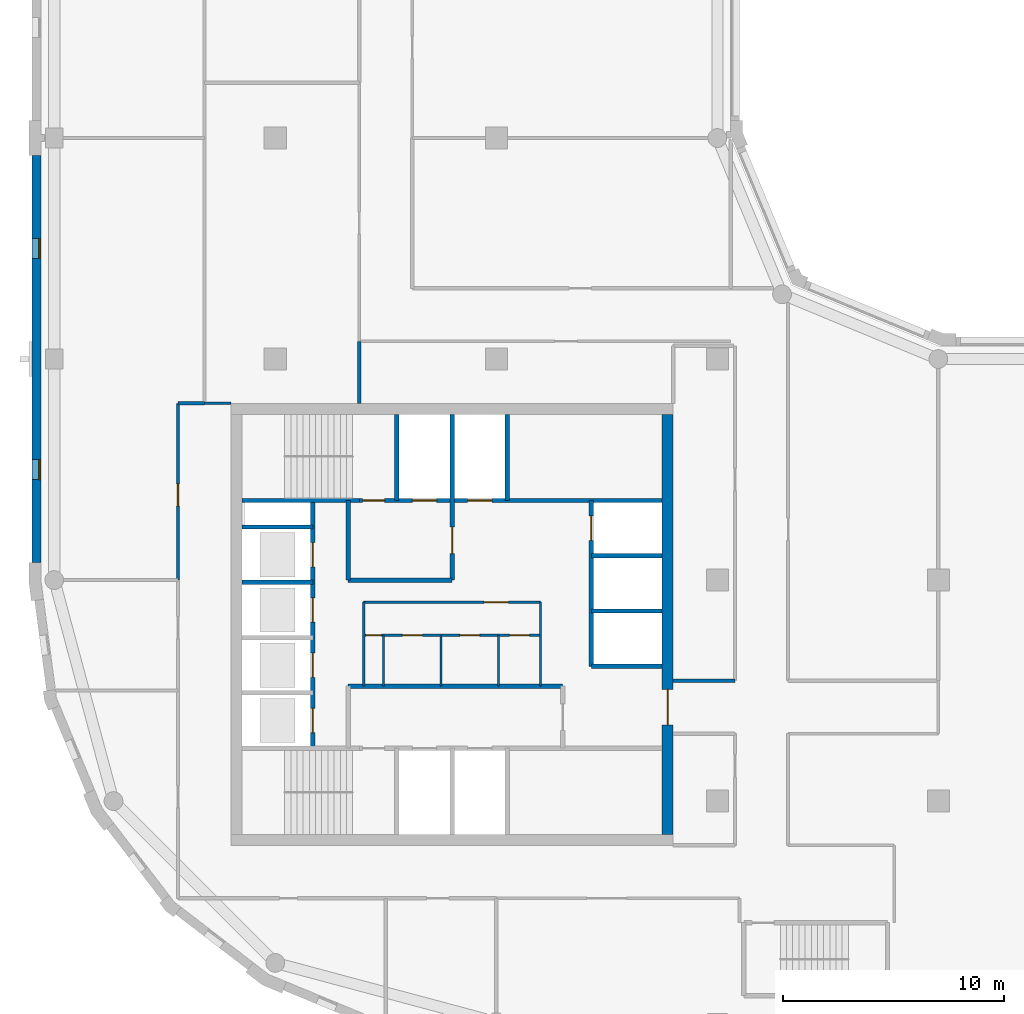
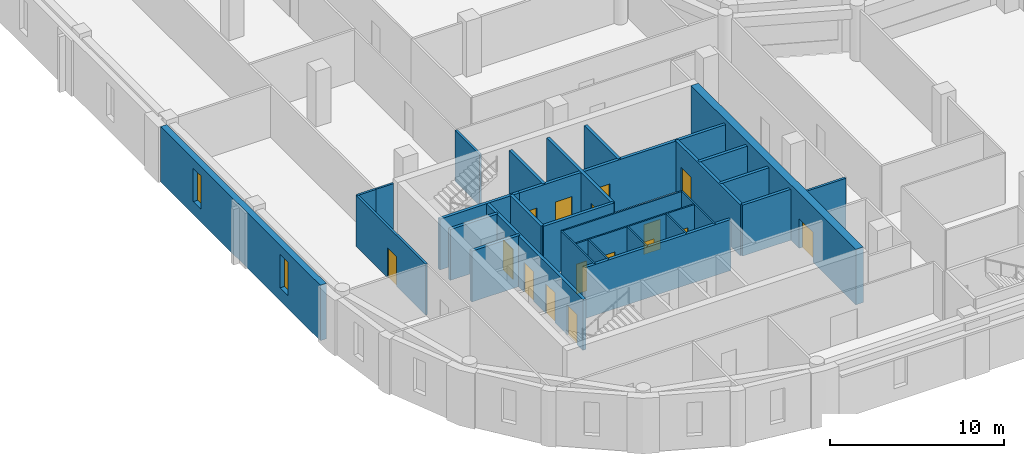
# One storey, part 3 of 9: 29 walls, 16 doors, 2 windows, 18 openings.
"""IFC4 building model written with IfcOpenShell, lengths in metres."""

from ifc_helpers import new_model, si_unit, direction, frame, frame_2d, origin, place, context, subcontext, project, spatial, rectangle, extrude, material, layer, layer_set, type_object, element, fill, save


model = new_model("IFC4")

# Units and contexts
model_context = context("Model", 3, precision=1e-05, world=origin(), true_north=direction((0.0, 1.0)))
body_context = subcontext(model_context, "Body", "Model", "MODEL_VIEW")
ifc_project = project(units=[si_unit("LENGTHUNIT", "METRE"), si_unit("AREAUNIT", "SQUARE_METRE"), si_unit("VOLUMEUNIT", "CUBIC_METRE"), si_unit("PLANEANGLEUNIT", "RADIAN"), si_unit("MASSUNIT", "GRAM", prefix="KILO")], contexts=[model_context])

# Site, building, storey
site_placement = place(None, origin())
site = spatial("IfcSite", under=ifc_project, at=site_placement, CompositionType="ELEMENT")
building_placement = place(site_placement, origin())
building = spatial("IfcBuilding", under=site, at=building_placement, Name="Qaws Garden Tower", CompositionType="ELEMENT")
storey_placement = place(building_placement, frame((0.0, 0.0, 267.0)))
storey = spatial("IfcBuildingStorey", under=building, at=storey_placement, Name="L64", CompositionType="ELEMENT", Elevation=267.0)

# Wall, openings, windows
ifc_material_1 = material(Name="Clay facing brick masonry", Category="masonry")
ifc_layer_1 = layer(ifc_material_1, 0.39990234375)
ifc_layer_set_1 = layer_set([ifc_layer_1], Name="Clay facing brick masonry")
wall_type_1 = type_object("IfcWallType", Name="Brick infill wall 400", PredefinedType="SOLIDWALL", material=ifc_layer_set_1)
wall_1_placement = place(storey_placement, frame((-0.800048828125, 39.199951171875, 0.0), z_axis=(0.0, 0.0, 1.0), x_axis=(0.0, -1.0, 0.0)))
wall_1 = element("IfcWall", 1, at=wall_1_placement, inside=storey, type_object=wall_type_1, Name="E-L64-infill-21", PredefinedType="SOLIDWALL", context=body_context, shape_type="SweptSolid", body=[
    extrude(rectangle(XDim=18.39990234375, YDim=0.39990234375, at=frame_2d((9.199951171875, 0.0))), origin(), (0.0, 0.0, 1.0), 3.89990234375),
])
opening_1_placement = place(wall_1_placement, frame((3.75, 0.0, 0.89990234375)))
opening_1 = element("IfcOpeningElement", 2, at=opening_1_placement, cuts=wall_1, Name="Opening W09", PredefinedType="OPENING", context=body_context, shape_type="SweptSolid", body=[
    extrude(rectangle(XDim=0.89990234375, YDim=2.35009765625, at=frame_2d((0.449951171875, 1.175048828125))), frame((0.0, 0.2099609375, 0.0), z_axis=(0.0, -1.0, 0.0), x_axis=(1.0, 0.0, 0.0)), (0.0, 0.0, 1.0), 0.419921875),
])
opening_2_placement = place(wall_1_placement, frame((13.75, 0.0, 0.89990234375)))
opening_2 = element("IfcOpeningElement", 3, at=opening_2_placement, cuts=wall_1, Name="Opening W09", PredefinedType="OPENING", context=body_context, shape_type="SweptSolid", body=[
    extrude(rectangle(XDim=0.89990234375, YDim=2.35009765625, at=frame_2d((0.449951171875, 1.175048828125))), frame((0.0, 0.2099609375, 0.0), z_axis=(0.0, -1.0, 0.0), x_axis=(1.0, 0.0, 0.0)), (0.0, 0.0, 1.0), 0.419921875),
])
ifc_material_2 = material(Name="Aluminium framed window, clear glazing", Category="aluminium")
window_type = type_object("IfcWindowType", Name="Slit window 900 x 2350", PartitioningType="SINGLE_PANEL", PredefinedType="WINDOW", material=ifc_material_2)
window_1_placement = place(opening_1_placement, origin())
window_1 = element("IfcWindow", 4, at=window_1_placement, inside=storey, type_object=window_type, Name="E-L64-window-21-0", OverallHeight=2.35009765625, OverallWidth=0.89990234375, PartitioningType="SINGLE_PANEL", PredefinedType="WINDOW", context=body_context, shape_type="SweptSolid", body=[
    extrude(rectangle(XDim=0.89990234375, YDim=2.35009765625, at=frame_2d((0.449951171875, 1.175048828125))), frame((0.0, 0.159912109375, 0.0), z_axis=(0.0, -1.0, 0.0), x_axis=(1.0, 0.0, 0.0)), (0.0, 0.0, 1.0), 0.06005859375),
])
fill(opening_1, window_1)
window_2_placement = place(opening_2_placement, origin())
window_2 = element("IfcWindow", 5, at=window_2_placement, inside=storey, type_object=window_type, Name="E-L64-window-22-0", OverallHeight=2.35009765625, OverallWidth=0.89990234375, PartitioningType="SINGLE_PANEL", PredefinedType="WINDOW", context=body_context, shape_type="SweptSolid", body=[
    extrude(rectangle(XDim=0.89990234375, YDim=2.35009765625, at=frame_2d((0.449951171875, 1.175048828125))), frame((0.0, 0.159912109375, 0.0), z_axis=(0.0, -1.0, 0.0), x_axis=(1.0, 0.0, 0.0)), (0.0, 0.0, 1.0), 0.06005859375),
])
fill(opening_2, window_2)

# Wall, openings, doors
ifc_material_3 = material(Name="Plasterboard")
ifc_layer_2 = layer(ifc_material_3, 0.10009765625)
ifc_layer_set_2 = layer_set([ifc_layer_2], Name="Plasterboard")
wall_type_2 = type_object("IfcWallType", Name="Core partition 100", PredefinedType="PARTITIONING", material=ifc_layer_set_2)
wall_2_placement = place(storey_placement, frame((14.0, 17.5, 0.0), z_axis=(0.0, 0.0, 1.0), x_axis=(1.0, 0.0, 0.0)))
wall_2 = element("IfcWall", 6, at=wall_2_placement, inside=storey, type_object=wall_type_2, Name="Core partition", PredefinedType="PARTITIONING", context=body_context, shape_type="SweptSolid", body=[
    extrude(rectangle(XDim=8.0, YDim=0.10009765625, at=frame_2d((4.0, 0.0))), origin(), (0.0, 0.0, 1.0), 3.580078125),
])
opening_3_placement = place(wall_2_placement, frame((0.10009765625, 0.0, 0.0)))
opening_3 = element("IfcOpeningElement", 7, at=opening_3_placement, cuts=wall_2, Name="Opening XD18", PredefinedType="OPENING", context=body_context, shape_type="SweptSolid", body=[
    extrude(rectangle(XDim=0.699951171875, YDim=2.10009765625, at=frame_2d((0.35009765625, 1.050048828125))), frame((0.0, 0.06005859375, 0.0), z_axis=(0.0, -1.0, 0.0), x_axis=(1.0, 0.0, 0.0)), (0.0, 0.0, 1.0), 0.1201171875),
])
opening_4_placement = place(wall_2_placement, frame((1.75, 0.0, 0.0)))
opening_4 = element("IfcOpeningElement", 8, at=opening_4_placement, cuts=wall_2, Name="Opening WD19", PredefinedType="OPENING", context=body_context, shape_type="SweptSolid", body=[
    extrude(rectangle(XDim=0.89990234375, YDim=2.10009765625, at=frame_2d((0.449951171875, 1.050048828125))), frame((0.0, 0.06005859375, 0.0), z_axis=(0.0, -1.0, 0.0), x_axis=(1.0, 0.0, 0.0)), (0.0, 0.0, 1.0), 0.1201171875),
])
opening_5_placement = place(wall_2_placement, frame((4.35009765625, 0.0, 0.0)))
opening_5 = element("IfcOpeningElement", 9, at=opening_5_placement, cuts=wall_2, Name="Opening WD20", PredefinedType="OPENING", context=body_context, shape_type="SweptSolid", body=[
    extrude(rectangle(XDim=0.89990234375, YDim=2.10009765625, at=frame_2d((0.449951171875, 1.050048828125))), frame((0.0, 0.06005859375, 0.0), z_axis=(0.0, -1.0, 0.0), x_axis=(1.0, 0.0, 0.0)), (0.0, 0.0, 1.0), 0.1201171875),
])
opening_6_placement = place(wall_2_placement, frame((6.60009765625, 0.0, 0.0)))
opening_6 = element("IfcOpeningElement", 10, at=opening_6_placement, cuts=wall_2, Name="Opening WD21", PredefinedType="OPENING", context=body_context, shape_type="SweptSolid", body=[
    extrude(rectangle(XDim=0.89990234375, YDim=2.10009765625, at=frame_2d((0.449951171875, 1.050048828125))), frame((0.0, 0.06005859375, 0.0), z_axis=(0.0, -1.0, 0.0), x_axis=(1.0, 0.0, 0.0)), (0.0, 0.0, 1.0), 0.1201171875),
])
ifc_material_4 = material(Name="Timber", Category="wood")
door_type_1 = type_object("IfcDoorType", Name="Store door 700x2100", OperationType="SINGLE_SWING_LEFT", PredefinedType="DOOR", material=ifc_material_4)
door_1_placement = place(opening_3_placement, frame((0.699951171875, 0.0, 0.0), z_axis=(0.0, 0.0, 1.0), x_axis=(-1.0, 0.0, 0.0)))
door_1 = element("IfcDoor", 11, at=door_1_placement, inside=storey, type_object=door_type_1, Name="Cleaner's store door", OperationType="SINGLE_SWING_LEFT", OverallHeight=2.10009765625, OverallWidth=0.699951171875, PredefinedType="DOOR", context=body_context, shape_type="SweptSolid", body=[
    extrude(rectangle(XDim=0.699951171875, YDim=2.10009765625, at=frame_2d((0.35009765625, 1.050048828125))), frame((0.0, 0.02490234375, 0.0), z_axis=(0.0, -1.0, 0.0), x_axis=(1.0, 0.0, 0.0)), (0.0, 0.0, 1.0), 0.050048828125),
])
fill(opening_3, door_1)
ifc_material_5 = material(Name="Timber", Category="wood")
door_type_2 = type_object("IfcDoorType", Name="WC door 900x2100", OperationType="SINGLE_SWING_LEFT", PredefinedType="DOOR", material=ifc_material_5)
door_2_placement = place(opening_4_placement, frame((0.89990234375, 0.0, 0.0), z_axis=(0.0, 0.0, 1.0), x_axis=(-1.0, 0.0, 0.0)))
door_2 = element("IfcDoor", 12, at=door_2_placement, inside=storey, type_object=door_type_2, Name="Men's WC door", OperationType="SINGLE_SWING_LEFT", OverallHeight=2.10009765625, OverallWidth=0.89990234375, PredefinedType="DOOR", context=body_context, shape_type="SweptSolid", body=[
    extrude(rectangle(XDim=0.89990234375, YDim=2.10009765625, at=frame_2d((0.449951171875, 1.050048828125))), frame((0.0, 0.02490234375, 0.0), z_axis=(0.0, -1.0, 0.0), x_axis=(1.0, 0.0, 0.0)), (0.0, 0.0, 1.0), 0.050048828125),
])
fill(opening_4, door_2)
door_3_placement = place(opening_5_placement, frame((0.89990234375, 0.0, 0.0), z_axis=(0.0, 0.0, 1.0), x_axis=(-1.0, 0.0, 0.0)))
door_3 = element("IfcDoor", 13, at=door_3_placement, inside=storey, type_object=door_type_2, Name="Women's WC door", OperationType="SINGLE_SWING_LEFT", OverallHeight=2.10009765625, OverallWidth=0.89990234375, PredefinedType="DOOR", context=body_context, shape_type="SweptSolid", body=[
    extrude(rectangle(XDim=0.89990234375, YDim=2.10009765625, at=frame_2d((0.449951171875, 1.050048828125))), frame((0.0, 0.02490234375, 0.0), z_axis=(0.0, -1.0, 0.0), x_axis=(1.0, 0.0, 0.0)), (0.0, 0.0, 1.0), 0.050048828125),
])
fill(opening_5, door_3)
door_4_placement = place(opening_6_placement, frame((0.89990234375, 0.0, 0.0), z_axis=(0.0, 0.0, 1.0), x_axis=(-1.0, 0.0, 0.0)))
door_4 = element("IfcDoor", 14, at=door_4_placement, inside=storey, type_object=door_type_2, Name="Accessible WC door", OperationType="SINGLE_SWING_LEFT", OverallHeight=2.10009765625, OverallWidth=0.89990234375, PredefinedType="DOOR", context=body_context, shape_type="SweptSolid", body=[
    extrude(rectangle(XDim=0.89990234375, YDim=2.10009765625, at=frame_2d((0.449951171875, 1.050048828125))), frame((0.0, 0.02490234375, 0.0), z_axis=(0.0, -1.0, 0.0), x_axis=(1.0, 0.0, 0.0)), (0.0, 0.0, 1.0), 0.050048828125),
])
fill(opening_6, door_4)

# Wall, opening, door
wall_3_placement = place(storey_placement, frame((14.0, 19.0, 0.0), z_axis=(0.0, 0.0, 1.0), x_axis=(1.0, 0.0, 0.0)))
wall_3 = element("IfcWall", 15, at=wall_3_placement, inside=storey, type_object=wall_type_2, Name="Core partition", PredefinedType="PARTITIONING", context=body_context, shape_type="SweptSolid", body=[
    extrude(rectangle(XDim=8.0, YDim=0.10009765625, at=frame_2d((4.0, 0.0))), origin(), (0.0, 0.0, 1.0), 3.580078125),
])
opening_7_placement = place(wall_3_placement, frame((5.449951171875, 0.0, 0.0)))
opening_7 = element("IfcOpeningElement", 16, at=opening_7_placement, cuts=wall_3, Name="Opening WL17", PredefinedType="OPENING", context=body_context, shape_type="SweptSolid", body=[
    extrude(rectangle(XDim=1.10009765625, YDim=2.10009765625, at=frame_2d((0.550048828125, 1.050048828125))), frame((0.0, 0.06005859375, 0.0), z_axis=(0.0, -1.0, 0.0), x_axis=(1.0, 0.0, 0.0)), (0.0, 0.0, 1.0), 0.1201171875),
])
ifc_material_6 = material(Name="Timber", Category="wood")
door_type_3 = type_object("IfcDoorType", Name="WC lobby door 1100x2100", OperationType="SINGLE_SWING_LEFT", PredefinedType="DOOR", material=ifc_material_6)
door_5_placement = place(opening_7_placement, frame((1.10009765625, 0.0, 0.0), z_axis=(0.0, 0.0, 1.0), x_axis=(-1.0, 0.0, 0.0)))
door_5 = element("IfcDoor", 17, at=door_5_placement, inside=storey, type_object=door_type_3, Name="WC lobby door", OperationType="SINGLE_SWING_LEFT", OverallHeight=2.10009765625, OverallWidth=1.10009765625, PredefinedType="DOOR", context=body_context, shape_type="SweptSolid", body=[
    extrude(rectangle(XDim=1.10009765625, YDim=2.10009765625, at=frame_2d((0.550048828125, 1.050048828125))), frame((0.0, 0.02490234375, 0.0), z_axis=(0.0, -1.0, 0.0), x_axis=(1.0, 0.0, 0.0)), (0.0, 0.0, 1.0), 0.050048828125),
])
fill(opening_7, door_5)

# Walls
wall_4_placement = place(storey_placement, frame((14.0, 15.199951171875, 0.0), z_axis=(0.0, 0.0, 1.0), x_axis=(0.0, 1.0, 0.0)))
element("IfcWall", 18, at=wall_4_placement, inside=storey, type_object=wall_type_2, Name="Core partition", PredefinedType="PARTITIONING", context=body_context, shape_type="SweptSolid", body=[
    extrude(rectangle(XDim=3.800048828125, YDim=0.10009765625, at=frame_2d((1.89990234375, 0.0))), origin(), (0.0, 0.0, 1.0), 3.580078125),
])
for number, where, z_axis, x_axis, name in (
    (19, (14.89990234375, 15.199951171875, 0.0), (0.0, 0.0, 1.0), (0.0, 1.0, 0.0), "Core partition"),
    (20, (17.5, 15.199951171875, 0.0), (0.0, 0.0, 1.0), (0.0, 1.0, 0.0), "Core partition"),
    (21, (20.10009765625, 15.199951171875, 0.0), (0.0, 0.0, 1.0), (0.0, 1.0, 0.0), "Core partition"),
):
    element("IfcWall", number, at=place(storey_placement, frame(where, z_axis=z_axis, x_axis=x_axis)), inside=storey, type_object=wall_type_2, Name=name, PredefinedType="PARTITIONING", context=body_context, shape_type="SweptSolid", body=[
        extrude(rectangle(XDim=2.300048828125, YDim=0.10009765625, at=frame_2d((1.14990234375, 0.0))), origin(), (0.0, 0.0, 1.0), 3.580078125),
    ])
wall_5_placement = place(storey_placement, frame((22.0, 15.199951171875, 0.0), z_axis=(0.0, 0.0, 1.0), x_axis=(0.0, 1.0, 0.0)))
element("IfcWall", 22, at=wall_5_placement, inside=storey, type_object=wall_type_2, Name="Core partition", PredefinedType="PARTITIONING", context=body_context, shape_type="SweptSolid", body=[
    extrude(rectangle(XDim=3.800048828125, YDim=0.10009765625, at=frame_2d((1.89990234375, 0.0))), origin(), (0.0, 0.0, 1.0), 3.580078125),
])
ifc_material_7 = material(Name="Concrete C60", Category="concrete")
ifc_layer_3 = layer(ifc_material_7, 0.199951171875)
ifc_layer_set_3 = layer_set([ifc_layer_3], Name="Concrete C60")
wall_type_3 = type_object("IfcWallType", Name="Core shaft wall 200 C60", PredefinedType="SHEAR", material=ifc_layer_set_3)
wall_6_placement = place(storey_placement, frame((13.300048828125, 15.199951171875, 0.0), z_axis=(0.0, 0.0, 1.0), x_axis=(1.0, 0.0, 0.0)))
element("IfcWall", 23, at=wall_6_placement, inside=storey, type_object=wall_type_3, Name="Shaft wall", PredefinedType="SHEAR", context=body_context, shape_type="SweptSolid", body=[
    extrude(rectangle(XDim=9.699951171875, YDim=0.199951171875, at=frame_2d((4.85009765625, 0.0))), origin(), (0.0, 0.0, 1.0), 3.580078125),
])
for number, where, z_axis, x_axis, name in (
    (24, (24.300048828125, 16.10009765625, 0.0), (0.0, 0.0, 1.0), (1.0, 0.0, 0.0), "Shaft wall"),
    (25, (24.300048828125, 18.60009765625, 0.0), (0.0, 0.0, 1.0), (1.0, 0.0, 0.0), "Shaft wall"),
    (26, (8.5, 19.89990234375, 0.0), (0.0, 0.0, 1.0), (1.0, 0.0, 0.0), "Shaft wall"),
):
    element("IfcWall", number, at=place(storey_placement, frame(where, z_axis=z_axis, x_axis=x_axis)), inside=storey, type_object=wall_type_3, Name=name, PredefinedType="SHEAR", context=body_context, shape_type="SweptSolid", body=[
        extrude(rectangle(XDim=3.199951171875, YDim=0.199951171875, at=frame_2d((1.60009765625, 0.0))), origin(), (0.0, 0.0, 1.0), 3.580078125),
    ])
wall_7_placement = place(storey_placement, frame((13.300048828125, 20.0, 0.0), z_axis=(0.0, 0.0, 1.0), x_axis=(1.0, 0.0, 0.0)))
element("IfcWall", 27, at=wall_7_placement, inside=storey, type_object=wall_type_3, Name="Shaft wall", PredefinedType="SHEAR", context=body_context, shape_type="SweptSolid", body=[
    extrude(rectangle(XDim=4.699951171875, YDim=0.199951171875, at=frame_2d((2.35009765625, 0.0))), origin(), (0.0, 0.0, 1.0), 3.580078125),
])
for number, where, z_axis, x_axis, name in (
    (28, (24.300048828125, 21.10009765625, 0.0), (0.0, 0.0, 1.0), (1.0, 0.0, 0.0), "Shaft wall"),
    (29, (8.5, 22.39990234375, 0.0), (0.0, 0.0, 1.0), (1.0, 0.0, 0.0), "Shaft wall"),
):
    element("IfcWall", number, at=place(storey_placement, frame(where, z_axis=z_axis, x_axis=x_axis)), inside=storey, type_object=wall_type_3, Name=name, PredefinedType="SHEAR", context=body_context, shape_type="SweptSolid", body=[
        extrude(rectangle(XDim=3.199951171875, YDim=0.199951171875, at=frame_2d((1.60009765625, 0.0))), origin(), (0.0, 0.0, 1.0), 3.580078125),
    ])
wall_8_placement = place(storey_placement, frame((8.5, 23.60009765625, 0.0), z_axis=(0.0, 0.0, 1.0), x_axis=(1.0, 0.0, 0.0)))
element("IfcWall", 30, at=wall_8_placement, inside=storey, type_object=wall_type_3, Name="Shaft wall", PredefinedType="SHEAR", context=body_context, shape_type="SweptSolid", body=[
    extrude(rectangle(XDim=5.300048828125, YDim=0.199951171875, at=frame_2d((2.64990234375, 0.0))), origin(), (0.0, 0.0, 1.0), 3.580078125),
])

# Wall, openings, doors
wall_9_placement = place(storey_placement, frame((13.800048828125, 23.60009765625, 0.0), z_axis=(0.0, 0.0, 1.0), x_axis=(1.0, 0.0, 0.0)))
wall_9 = element("IfcWall", 31, at=wall_9_placement, inside=storey, type_object=wall_type_3, Name="Shaft wall", PredefinedType="SHEAR", context=body_context, shape_type="SweptSolid", body=[
    extrude(rectangle(XDim=13.699951171875, YDim=0.199951171875, at=frame_2d((6.85009765625, 0.0))), origin(), (0.0, 0.0, 1.0), 3.580078125),
])
opening_8_placement = place(wall_9_placement, frame((2.39990234375, 0.0, 0.0)))
opening_8 = element("IfcOpeningElement", 32, at=opening_8_placement, cuts=wall_9, Name="Opening LD08", PredefinedType="OPENING", context=body_context, shape_type="SweptSolid", body=[
    extrude(rectangle(XDim=1.10009765625, YDim=2.10009765625, at=frame_2d((0.550048828125, 1.050048828125))), frame((0.0, 0.10986328125, 0.0), z_axis=(0.0, -1.0, 0.0), x_axis=(1.0, 0.0, 0.0)), (0.0, 0.0, 1.0), 0.219970703125),
])
opening_9_placement = place(wall_9_placement, frame((4.89990234375, 0.0, 0.0)))
opening_9 = element("IfcOpeningElement", 33, at=opening_9_placement, cuts=wall_9, Name="Opening LD09", PredefinedType="OPENING", context=body_context, shape_type="SweptSolid", body=[
    extrude(rectangle(XDim=1.10009765625, YDim=2.10009765625, at=frame_2d((0.550048828125, 1.050048828125))), frame((0.0, 0.10986328125, 0.0), z_axis=(0.0, -1.0, 0.0), x_axis=(1.0, 0.0, 0.0)), (0.0, 0.0, 1.0), 0.219970703125),
])
opening_10_placement = place(wall_9_placement, frame((0.14990234375, 0.0, 0.0)))
opening_10 = element("IfcOpeningElement", 34, at=opening_10_placement, cuts=wall_9, Name="Opening SD11", PredefinedType="OPENING", context=body_context, shape_type="SweptSolid", body=[
    extrude(rectangle(XDim=1.0, YDim=2.10009765625, at=frame_2d((0.5, 1.050048828125))), frame((0.0, 0.10986328125, 0.0), z_axis=(0.0, -1.0, 0.0), x_axis=(1.0, 0.0, 0.0)), (0.0, 0.0, 1.0), 0.219970703125),
])
ifc_material_8 = material(Name="Steel S235", Category="steel")
door_type_4 = type_object("IfcDoorType", Name="Landing door 1100x2100", OperationType="DOUBLE_DOOR_SLIDING", PredefinedType="DOOR", material=ifc_material_8)
door_6_placement = place(opening_8_placement, origin())
door_6 = element("IfcDoor", 35, at=door_6_placement, inside=storey, type_object=door_type_4, Name="Lift FF3 landing door", OperationType="DOUBLE_DOOR_SLIDING", OverallHeight=2.10009765625, OverallWidth=1.10009765625, PredefinedType="DOOR", context=body_context, shape_type="SweptSolid", body=[
    extrude(rectangle(XDim=1.10009765625, YDim=2.10009765625, at=frame_2d((0.550048828125, 1.050048828125))), frame((0.0, 0.02490234375, 0.0), z_axis=(0.0, -1.0, 0.0), x_axis=(1.0, 0.0, 0.0)), (0.0, 0.0, 1.0), 0.050048828125),
])
fill(opening_8, door_6)
door_7_placement = place(opening_9_placement, origin())
door_7 = element("IfcDoor", 36, at=door_7_placement, inside=storey, type_object=door_type_4, Name="Lift SV2 landing door", OperationType="DOUBLE_DOOR_SLIDING", OverallHeight=2.10009765625, OverallWidth=1.10009765625, PredefinedType="DOOR", context=body_context, shape_type="SweptSolid", body=[
    extrude(rectangle(XDim=1.10009765625, YDim=2.10009765625, at=frame_2d((0.550048828125, 1.050048828125))), frame((0.0, 0.02490234375, 0.0), z_axis=(0.0, -1.0, 0.0), x_axis=(1.0, 0.0, 0.0)), (0.0, 0.0, 1.0), 0.050048828125),
])
fill(opening_9, door_7)
ifc_material_9 = material(Name="Steel S235", Category="steel")
door_type_5 = type_object("IfcDoorType", Name="Stair door 1000x2100", OperationType="SINGLE_SWING_RIGHT", PredefinedType="DOOR", material=ifc_material_9)
door_8_placement = place(opening_10_placement, origin())
door_8 = element("IfcDoor", 37, at=door_8_placement, inside=storey, type_object=door_type_5, Name="Stair 4 door", OperationType="SINGLE_SWING_RIGHT", OverallHeight=2.10009765625, OverallWidth=1.0, PredefinedType="DOOR", context=body_context, shape_type="SweptSolid", body=[
    extrude(rectangle(XDim=1.0, YDim=2.10009765625, at=frame_2d((0.5, 1.050048828125))), frame((0.0, 0.02490234375, 0.0), z_axis=(0.0, -1.0, 0.0), x_axis=(1.0, 0.0, 0.0)), (0.0, 0.0, 1.0), 0.050048828125),
])
fill(opening_10, door_8)

wall_10_placement = place(storey_placement, frame((11.699951171875, 12.39990234375, 0.0), z_axis=(0.0, 0.0, 1.0), x_axis=(0.0, 1.0, 0.0)))
wall_10 = element("IfcWall", 38, at=wall_10_placement, inside=storey, type_object=wall_type_3, Name="Shaft wall", PredefinedType="SHEAR", context=body_context, shape_type="SweptSolid", body=[
    extrude(rectangle(XDim=11.2001953125, YDim=0.199951171875, at=frame_2d((5.60009765625, 0.0))), origin(), (0.0, 0.0, 1.0), 3.580078125),
])
opening_11_placement = place(wall_10_placement, frame((0.699951171875, 0.0, 0.0)))
opening_11 = element("IfcOpeningElement", 39, at=opening_11_placement, cuts=wall_10, Name="Opening LD01", PredefinedType="OPENING", context=body_context, shape_type="SweptSolid", body=[
    extrude(rectangle(XDim=1.10009765625, YDim=2.10009765625, at=frame_2d((0.550048828125, 1.050048828125))), frame((0.0, 0.10986328125, 0.0), z_axis=(0.0, -1.0, 0.0), x_axis=(1.0, 0.0, 0.0)), (0.0, 0.0, 1.0), 0.219970703125),
])
opening_12_placement = place(wall_10_placement, frame((3.199951171875, 0.0, 0.0)))
opening_12 = element("IfcOpeningElement", 40, at=opening_12_placement, cuts=wall_10, Name="Opening LD02", PredefinedType="OPENING", context=body_context, shape_type="SweptSolid", body=[
    extrude(rectangle(XDim=1.10009765625, YDim=2.10009765625, at=frame_2d((0.550048828125, 1.050048828125))), frame((0.0, 0.10986328125, 0.0), z_axis=(0.0, -1.0, 0.0), x_axis=(1.0, 0.0, 0.0)), (0.0, 0.0, 1.0), 0.219970703125),
])
opening_13_placement = place(wall_10_placement, frame((5.699951171875, 0.0, 0.0)))
opening_13 = element("IfcOpeningElement", 41, at=opening_13_placement, cuts=wall_10, Name="Opening LD03", PredefinedType="OPENING", context=body_context, shape_type="SweptSolid", body=[
    extrude(rectangle(XDim=1.10009765625, YDim=2.10009765625, at=frame_2d((0.550048828125, 1.050048828125))), frame((0.0, 0.10986328125, 0.0), z_axis=(0.0, -1.0, 0.0), x_axis=(1.0, 0.0, 0.0)), (0.0, 0.0, 1.0), 0.219970703125),
])
opening_14_placement = place(wall_10_placement, frame((8.199951171875, 0.0, 0.0)))
opening_14 = element("IfcOpeningElement", 42, at=opening_14_placement, cuts=wall_10, Name="Opening LD04", PredefinedType="OPENING", context=body_context, shape_type="SweptSolid", body=[
    extrude(rectangle(XDim=1.10009765625, YDim=2.10009765625, at=frame_2d((0.550048828125, 1.050048828125))), frame((0.0, 0.10986328125, 0.0), z_axis=(0.0, -1.0, 0.0), x_axis=(1.0, 0.0, 0.0)), (0.0, 0.0, 1.0), 0.219970703125),
])
door_9_placement = place(opening_11_placement, origin())
door_9 = element("IfcDoor", 43, at=door_9_placement, inside=storey, type_object=door_type_4, Name="Lift W1 landing door", OperationType="DOUBLE_DOOR_SLIDING", OverallHeight=2.10009765625, OverallWidth=1.10009765625, PredefinedType="DOOR", context=body_context, shape_type="SweptSolid", body=[
    extrude(rectangle(XDim=1.10009765625, YDim=2.10009765625, at=frame_2d((0.550048828125, 1.050048828125))), frame((0.0, 0.02490234375, 0.0), z_axis=(0.0, -1.0, 0.0), x_axis=(1.0, 0.0, 0.0)), (0.0, 0.0, 1.0), 0.050048828125),
])
fill(opening_11, door_9)
door_10_placement = place(opening_12_placement, origin())
door_10 = element("IfcDoor", 44, at=door_10_placement, inside=storey, type_object=door_type_4, Name="Lift W2 landing door", OperationType="DOUBLE_DOOR_SLIDING", OverallHeight=2.10009765625, OverallWidth=1.10009765625, PredefinedType="DOOR", context=body_context, shape_type="SweptSolid", body=[
    extrude(rectangle(XDim=1.10009765625, YDim=2.10009765625, at=frame_2d((0.550048828125, 1.050048828125))), frame((0.0, 0.02490234375, 0.0), z_axis=(0.0, -1.0, 0.0), x_axis=(1.0, 0.0, 0.0)), (0.0, 0.0, 1.0), 0.050048828125),
])
fill(opening_12, door_10)
door_11_placement = place(opening_13_placement, origin())
door_11 = element("IfcDoor", 45, at=door_11_placement, inside=storey, type_object=door_type_4, Name="Lift W3 landing door", OperationType="DOUBLE_DOOR_SLIDING", OverallHeight=2.10009765625, OverallWidth=1.10009765625, PredefinedType="DOOR", context=body_context, shape_type="SweptSolid", body=[
    extrude(rectangle(XDim=1.10009765625, YDim=2.10009765625, at=frame_2d((0.550048828125, 1.050048828125))), frame((0.0, 0.02490234375, 0.0), z_axis=(0.0, -1.0, 0.0), x_axis=(1.0, 0.0, 0.0)), (0.0, 0.0, 1.0), 0.050048828125),
])
fill(opening_13, door_11)
door_12_placement = place(opening_14_placement, origin())
door_12 = element("IfcDoor", 46, at=door_12_placement, inside=storey, type_object=door_type_4, Name="Lift W4 landing door", OperationType="DOUBLE_DOOR_SLIDING", OverallHeight=2.10009765625, OverallWidth=1.10009765625, PredefinedType="DOOR", context=body_context, shape_type="SweptSolid", body=[
    extrude(rectangle(XDim=1.10009765625, YDim=2.10009765625, at=frame_2d((0.550048828125, 1.050048828125))), frame((0.0, 0.02490234375, 0.0), z_axis=(0.0, -1.0, 0.0), x_axis=(1.0, 0.0, 0.0)), (0.0, 0.0, 1.0), 0.050048828125),
])
fill(opening_14, door_12)

# Walls
wall_11_placement = place(storey_placement, frame((13.300048828125, 20.0, 0.0), z_axis=(0.0, 0.0, 1.0), x_axis=(0.0, 1.0, 0.0)))
element("IfcWall", 47, at=wall_11_placement, inside=storey, type_object=wall_type_3, Name="Shaft wall", PredefinedType="SHEAR", context=body_context, shape_type="SweptSolid", body=[
    extrude(rectangle(XDim=3.60009765625, YDim=0.199951171875, at=frame_2d((1.800048828125, 0.0))), origin(), (0.0, 0.0, 1.0), 3.580078125),
])
wall_12_placement = place(storey_placement, frame((15.5, 23.60009765625, 0.0), z_axis=(0.0, 0.0, 1.0), x_axis=(0.0, 1.0, 0.0)))
element("IfcWall", 48, at=wall_12_placement, inside=storey, type_object=wall_type_3, Name="Shaft wall", PredefinedType="SHEAR", context=body_context, shape_type="SweptSolid", body=[
    extrude(rectangle(XDim=3.89990234375, YDim=0.199951171875, at=frame_2d((1.949951171875, 0.0))), origin(), (0.0, 0.0, 1.0), 3.580078125),
])

# Wall, opening, door
wall_13_placement = place(storey_placement, frame((18.0, 20.0, 0.0), z_axis=(0.0, 0.0, 1.0), x_axis=(0.0, 1.0, 0.0)))
wall_13 = element("IfcWall", 49, at=wall_13_placement, inside=storey, type_object=wall_type_3, Name="Shaft wall", PredefinedType="SHEAR", context=body_context, shape_type="SweptSolid", body=[
    extrude(rectangle(XDim=7.5, YDim=0.199951171875, at=frame_2d((3.75, 0.0))), origin(), (0.0, 0.0, 1.0), 3.580078125),
])
opening_15_placement = place(wall_13_placement, frame((1.199951171875, 0.0, 0.0)))
opening_15 = element("IfcOpeningElement", 50, at=opening_15_placement, cuts=wall_13, Name="Opening FD16", PredefinedType="OPENING", context=body_context, shape_type="SweptSolid", body=[
    extrude(rectangle(XDim=1.199951171875, YDim=2.10009765625, at=frame_2d((0.60009765625, 1.050048828125))), frame((0.0, 0.10986328125, 0.0), z_axis=(0.0, -1.0, 0.0), x_axis=(1.0, 0.0, 0.0)), (0.0, 0.0, 1.0), 0.219970703125),
])
ifc_material_10 = material(Name="Steel S235", Category="steel")
door_type_6 = type_object("IfcDoorType", Name="Lobby door 1200x2100", OperationType="DOUBLE_DOOR_SINGLE_SWING", PredefinedType="DOOR", material=ifc_material_10)
door_13_placement = place(opening_15_placement, origin())
door_13 = element("IfcDoor", 51, at=door_13_placement, inside=storey, type_object=door_type_6, Name="Fire-fighting lobby door", OperationType="DOUBLE_DOOR_SINGLE_SWING", OverallHeight=2.10009765625, OverallWidth=1.199951171875, PredefinedType="DOOR", context=body_context, shape_type="SweptSolid", body=[
    extrude(rectangle(XDim=1.199951171875, YDim=2.10009765625, at=frame_2d((0.60009765625, 1.050048828125))), frame((0.0, 0.02490234375, 0.0), z_axis=(0.0, -1.0, 0.0), x_axis=(1.0, 0.0, 0.0)), (0.0, 0.0, 1.0), 0.050048828125),
])
fill(opening_15, door_13)

# Wall
wall_14_placement = place(storey_placement, frame((20.5, 23.60009765625, 0.0), z_axis=(0.0, 0.0, 1.0), x_axis=(0.0, 1.0, 0.0)))
element("IfcWall", 52, at=wall_14_placement, inside=storey, type_object=wall_type_3, Name="Shaft wall", PredefinedType="SHEAR", context=body_context, shape_type="SweptSolid", body=[
    extrude(rectangle(XDim=3.89990234375, YDim=0.199951171875, at=frame_2d((1.949951171875, 0.0))), origin(), (0.0, 0.0, 1.0), 3.580078125),
])

# Wall, opening, door
wall_15_placement = place(storey_placement, frame((24.300048828125, 16.10009765625, 0.0), z_axis=(0.0, 0.0, 1.0), x_axis=(0.0, 1.0, 0.0)))
wall_15 = element("IfcWall", 53, at=wall_15_placement, inside=storey, type_object=wall_type_3, Name="Shaft wall", PredefinedType="SHEAR", context=body_context, shape_type="SweptSolid", body=[
    extrude(rectangle(XDim=7.5, YDim=0.199951171875, at=frame_2d((3.75, 0.0))), origin(), (0.0, 0.0, 1.0), 3.580078125),
])
opening_16_placement = place(wall_15_placement, frame((5.699951171875, 0.0, 0.0)))
opening_16 = element("IfcOpeningElement", 54, at=opening_16_placement, cuts=wall_15, Name="Opening LD05", PredefinedType="OPENING", context=body_context, shape_type="SweptSolid", body=[
    extrude(rectangle(XDim=1.10009765625, YDim=2.10009765625, at=frame_2d((0.550048828125, 1.050048828125))), frame((0.0, 0.10986328125, 0.0), z_axis=(0.0, -1.0, 0.0), x_axis=(1.0, 0.0, 0.0)), (0.0, 0.0, 1.0), 0.219970703125),
])
door_14_placement = place(opening_16_placement, origin())
door_14 = element("IfcDoor", 55, at=door_14_placement, inside=storey, type_object=door_type_4, Name="Lift E3 landing door", OperationType="DOUBLE_DOOR_SLIDING", OverallHeight=2.10009765625, OverallWidth=1.10009765625, PredefinedType="DOOR", context=body_context, shape_type="SweptSolid", body=[
    extrude(rectangle(XDim=1.10009765625, YDim=2.10009765625, at=frame_2d((0.550048828125, 1.050048828125))), frame((0.0, 0.02490234375, 0.0), z_axis=(0.0, -1.0, 0.0), x_axis=(1.0, 0.0, 0.0)), (0.0, 0.0, 1.0), 0.050048828125),
])
fill(opening_16, door_14)

ifc_material_11 = material(Name="Concrete C60", Category="concrete")
ifc_layer_4 = layer(ifc_material_11, 0.5)
ifc_layer_set_4 = layer_set([ifc_layer_4], Name="Concrete C60")
wall_type_4 = type_object("IfcWallType", Name="Core wall 500 C60", PredefinedType="SHEAR", material=ifc_layer_set_4)
wall_16_placement = place(storey_placement, frame((27.75, 8.5, 0.0), z_axis=(0.0, 0.0, 1.0), x_axis=(0.0, 1.0, 0.0)))
wall_16 = element("IfcWall", 56, at=wall_16_placement, inside=storey, type_object=wall_type_4, Name="Core wall L64 east", PredefinedType="SHEAR", context=body_context, shape_type="SweptSolid", body=[
    extrude(rectangle(XDim=19.0, YDim=0.5, at=frame_2d((9.5, 0.0))), origin(), (0.0, 0.0, 1.0), 3.89990234375),
])
opening_17_placement = place(wall_16_placement, frame((4.949951171875, 0.0, 0.0)))
opening_17 = element("IfcOpeningElement", 57, at=opening_17_placement, cuts=wall_16, Name="Opening ED22", PredefinedType="OPENING", context=body_context, shape_type="SweptSolid", body=[
    extrude(rectangle(XDim=1.60009765625, YDim=2.10009765625, at=frame_2d((0.800048828125, 1.050048828125))), frame((0.0, 0.260009765625, 0.0), z_axis=(0.0, -1.0, 0.0), x_axis=(1.0, 0.0, 0.0)), (0.0, 0.0, 1.0), 0.52001953125),
])
ifc_material_12 = material(Name="Steel S235", Category="steel")
door_type_7 = type_object("IfcDoorType", Name="Core entrance door 1600x2100", OperationType="DOUBLE_DOOR_SINGLE_SWING", PredefinedType="DOOR", material=ifc_material_12)
door_15_placement = place(opening_17_placement, origin())
door_15 = element("IfcDoor", 58, at=door_15_placement, inside=storey, type_object=door_type_7, Name="Core entrance door", OperationType="DOUBLE_DOOR_SINGLE_SWING", OverallHeight=2.10009765625, OverallWidth=1.60009765625, PredefinedType="DOOR", context=body_context, shape_type="SweptSolid", body=[
    extrude(rectangle(XDim=1.60009765625, YDim=2.10009765625, at=frame_2d((0.800048828125, 1.050048828125))), frame((0.0, 0.02490234375, 0.0), z_axis=(0.0, -1.0, 0.0), x_axis=(1.0, 0.0, 0.0)), (0.0, 0.0, 1.0), 0.050048828125),
])
fill(opening_17, door_15)

# Wall
ifc_material_13 = material(Name="Glass and aluminium framing", Category="aluminium")
ifc_layer_5 = layer(ifc_material_13, 0.1201171875)
ifc_layer_set_5 = layer_set([ifc_layer_5], Name="Glass and aluminium framing")
wall_type_5 = type_object("IfcWallType", Name="GLAZED PARTITION 120 EI 30", PredefinedType="PARTITIONING", material=ifc_layer_set_5)
wall_17_placement = place(storey_placement, frame((6.800048828125, 28.0, 0.0), z_axis=(0.0, 0.0, 1.0), x_axis=(1.0, 0.0, 0.0)))
element("IfcWall", 59, at=wall_17_placement, inside=storey, type_object=wall_type_5, Name="O-L64-wall-052", PredefinedType="PARTITIONING", context=body_context, shape_type="SweptSolid", body=[
    extrude(rectangle(XDim=1.199951171875, YDim=0.1201171875, at=frame_2d((0.60009765625, 0.0))), origin(), (0.0, 0.0, 1.0), 3.580078125),
])

# Wall, opening, door
ifc_material_14 = material(Name="Gypsum board partition")
ifc_layer_6 = layer(ifc_material_14, 0.14990234375)
ifc_layer_set_6 = layer_set([ifc_layer_6], Name="Gypsum board partition")
wall_type_6 = type_object("IfcWallType", Name="PARTITION 150 EI 60", PredefinedType="PARTITIONING", material=ifc_layer_set_6)
wall_18_placement = place(storey_placement, frame((5.60009765625, 20.0, 0.0), z_axis=(0.0, 0.0, 1.0), x_axis=(0.0, 1.0, 0.0)))
wall_18 = element("IfcWall", 60, at=wall_18_placement, inside=storey, type_object=wall_type_6, Name="O-L64-wall-003", PredefinedType="PARTITIONING", context=body_context, shape_type="SweptSolid", body=[
    extrude(rectangle(XDim=8.0, YDim=0.14990234375, at=frame_2d((4.0, 0.0))), origin(), (0.0, 0.0, 1.0), 3.580078125),
])
opening_18_placement = place(wall_18_placement, frame((3.35009765625, 0.0, 0.0)))
opening_18 = element("IfcOpeningElement", 61, at=opening_18_placement, cuts=wall_18, Name="Opening C203", PredefinedType="OPENING", context=body_context, shape_type="SweptSolid", body=[
    extrude(rectangle(XDim=1.0, YDim=2.10009765625, at=frame_2d((0.5, 1.050048828125))), frame((0.0, 0.0849609375, 0.0), z_axis=(0.0, -1.0, 0.0), x_axis=(1.0, 0.0, 0.0)), (0.0, 0.0, 1.0), 0.169921875),
])
ifc_material_15 = material(Name="Timber door leaf", Category="wood")
door_type_8 = type_object("IfcDoorType", Name="TENANCY ENTRANCE DOOR 1000 X 2100", OperationType="SINGLE_SWING_LEFT", PredefinedType="DOOR", material=ifc_material_15)
door_16_placement = place(opening_18_placement, origin())
door_16 = element("IfcDoor", 62, at=door_16_placement, inside=storey, type_object=door_type_8, Name="O-L64-door-003", OperationType="SINGLE_SWING_RIGHT", OverallHeight=2.10009765625, OverallWidth=1.0, PredefinedType="DOOR", context=body_context, shape_type="SweptSolid", body=[
    extrude(rectangle(XDim=1.0, YDim=2.10009765625, at=frame_2d((0.5, 1.050048828125))), frame((0.0, 0.02490234375, 0.0), z_axis=(0.0, -1.0, 0.0), x_axis=(1.0, 0.0, 0.0)), (0.0, 0.0, 1.0), 0.050048828125),
])
fill(opening_18, door_16)

# Walls
for number, where, z_axis, x_axis, name in (
    (63, (13.800048828125, 28.0, 0.0), (0.0, 0.0, 1.0), (0.0, 1.0, 0.0), "O-L64-wall-005"),
    (64, (28.0, 15.449951171875, 0.0), (0.0, 0.0, 1.0), (1.0, 0.0, 0.0), "O-L64-wall-022"),
):
    element("IfcWall", number, at=place(storey_placement, frame(where, z_axis=z_axis, x_axis=x_axis)), inside=storey, type_object=wall_type_6, Name=name, PredefinedType="PARTITIONING", context=body_context, shape_type="SweptSolid", body=[
        extrude(rectangle(XDim=2.800048828125, YDim=0.14990234375, at=frame_2d((1.39990234375, 0.0))), origin(), (0.0, 0.0, 1.0), 3.580078125),
    ])
wall_19_placement = place(storey_placement, frame((5.60009765625, 28.0, 0.0), z_axis=(0.0, 0.0, 1.0), x_axis=(1.0, 0.0, 0.0)))
element("IfcWall", 65, at=wall_19_placement, inside=storey, type_object=wall_type_6, Name="O-L64-wall-025", PredefinedType="PARTITIONING", context=body_context, shape_type="SweptSolid", body=[
    extrude(rectangle(XDim=1.199951171875, YDim=0.14990234375, at=frame_2d((0.60009765625, 0.0))), origin(), (0.0, 0.0, 1.0), 3.580078125),
])

save(model, "model.ifc")
